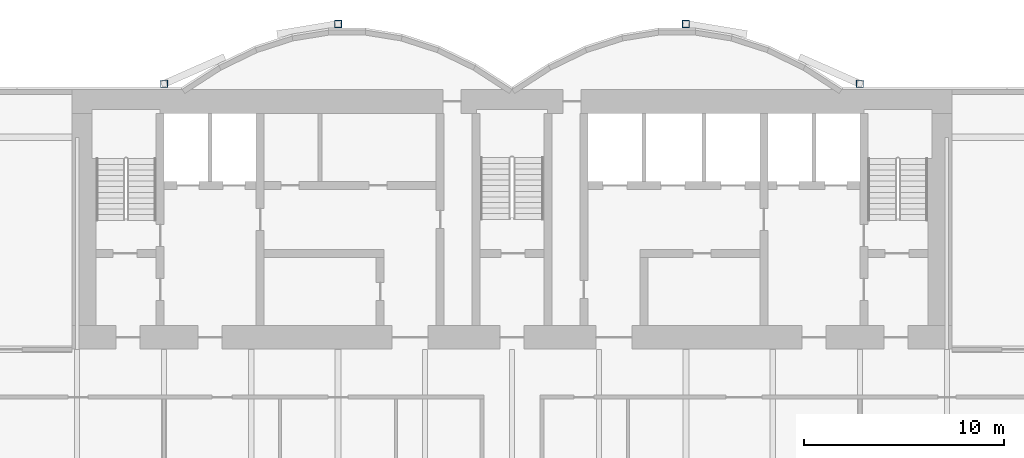
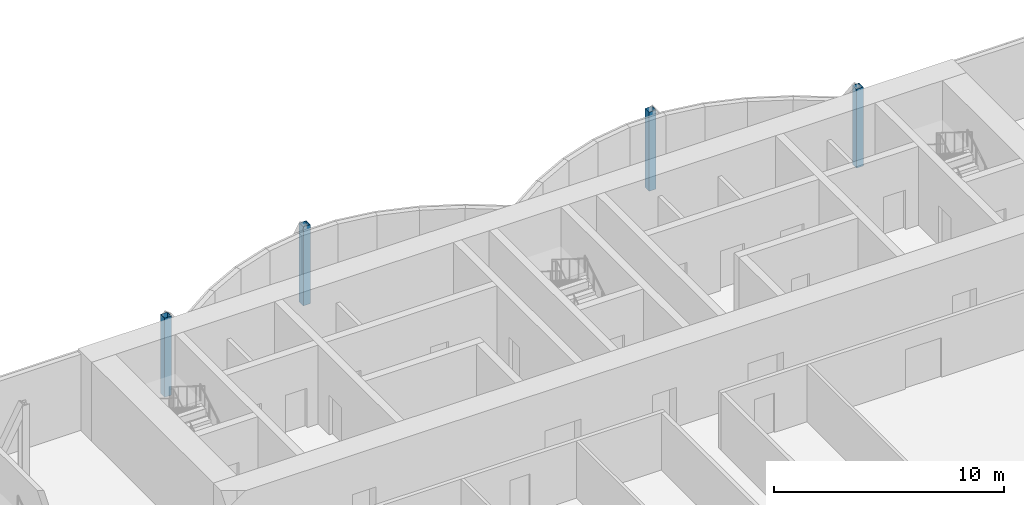
# One storey, part 3 of 20: 4 columns.
"""IFC4 building model written with IfcOpenShell, lengths in metres."""

from ifc_helpers import new_model, si_unit, direction, frame, origin, origin_2d, place, context, subcontext, project, spatial, hollow_rectangle, extrude, material, material_profile, profile_set, type_object, element, save


model = new_model("IFC4")

# Units and contexts
model_context = context("Model", 3, precision=1e-05, world=origin(), true_north=direction((0.0, 1.0)))
body_context = subcontext(model_context, "Body", "Model", "MODEL_VIEW")
ifc_project = project(units=[si_unit("LENGTHUNIT", "METRE"), si_unit("AREAUNIT", "SQUARE_METRE"), si_unit("VOLUMEUNIT", "CUBIC_METRE"), si_unit("PLANEANGLEUNIT", "RADIAN"), si_unit("MASSUNIT", "GRAM", prefix="KILO")], contexts=[model_context])

# Site, building, storey
site_placement = place(None, origin())
site = spatial("IfcSite", under=ifc_project, at=site_placement, CompositionType="ELEMENT")
building_placement = place(site_placement, origin())
building = spatial("IfcBuilding", under=site, at=building_placement, Name="Bicima Exchange Tower", CompositionType="ELEMENT")
storey_placement = place(building_placement, frame((0.0, 0.0, 249.800048828125)))
storey = spatial("IfcBuildingStorey", under=building, at=storey_placement, Name="L56", CompositionType="ELEMENT", Elevation=249.800048828125)

# Columns
ifc_material = material(Name="Steel ASTM A572 Gr 50", Category="steel")
ifc_material_profile = material_profile(ifc_material, hollow_rectangle(XDim=0.355712890625, YDim=0.355712890625, WallThickness=0.01171875, at=origin_2d()))
ifc_profile_set = profile_set([ifc_material_profile], Name="Steel ASTM A572 Gr 50")
column_type = type_object("IfcColumnType", Name="Rear pilaster HSS14x14x1/2", PredefinedType="COLUMN", material=ifc_profile_set)
for number, where, z_axis, x_axis, name in (
    (1, (-8.699951171875, 3.26904296875, 0.0), (0.0, 0.0, 1.0), (1.0, 0.0, 0.0), "Rear pilaster rexo-8.7r"),
    (2, (-17.39990234375, 0.278076171875, 0.0), (0.0, 0.0, 1.0), (1.0, 0.0, 0.0), "Rear pilaster rexo-17.4r"),
    (3, (8.699951171875, 3.26904296875, 0.0), (0.0, 0.0, 1.0), (1.0, 0.0, 0.0), "Rear pilaster rexo+8.7r"),
    (4, (17.39990234375, 0.278076171875, 0.0), (0.0, 0.0, 1.0), (1.0, 0.0, 0.0), "Rear pilaster rexo+17.4r"),
):
    element("IfcColumn", number, at=place(storey_placement, frame(where, z_axis=z_axis, x_axis=x_axis)), inside=storey, type_object=column_type, Name=name, PredefinedType="COLUMN", context=body_context, shape_type="SweptSolid", body=[
        extrude(hollow_rectangle(XDim=0.355712890625, YDim=0.355712890625, WallThickness=0.01171875, at=origin_2d()), origin(), (0.0, 0.0, 1.0), 4.199951171875),
    ])

save(model, "model.ifc")
